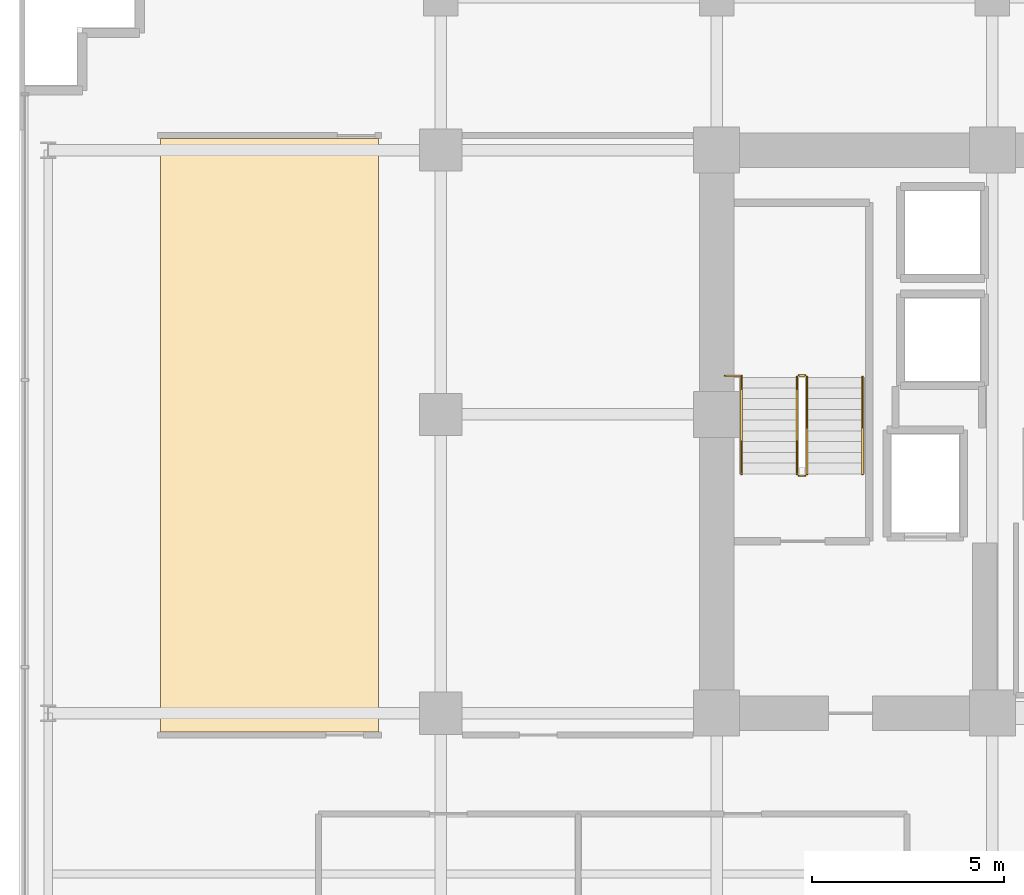
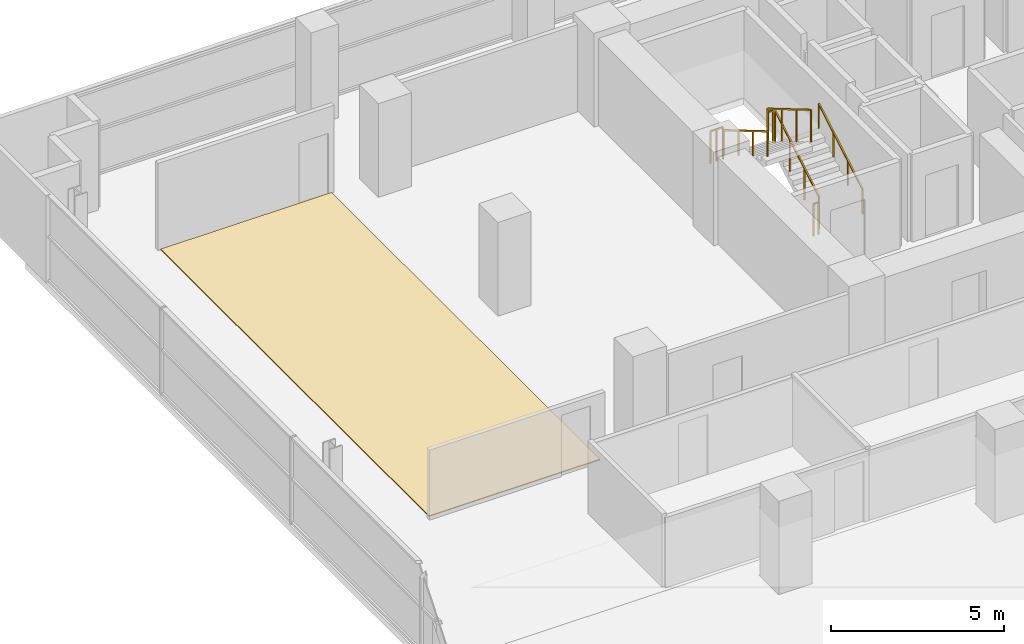
# One storey, part 27 of 30: 7 railings, 1 covering.
"""IFC4 building model written with IfcOpenShell, lengths in metres."""

from ifc_helpers import new_model, si_unit, direction, frame, origin, origin_2d, place, context, subcontext, project, spatial, polyline, rectangle, outline, extrude, material, layer, layer_set, type_object, element, save


model = new_model("IFC4")

# Units and contexts
model_context = context("Model", 3, precision=1e-05, world=origin(), true_north=direction((0.0, 1.0)))
body_context = subcontext(model_context, "Body", "Model", "MODEL_VIEW")
ifc_project = project(units=[si_unit("LENGTHUNIT", "METRE"), si_unit("AREAUNIT", "SQUARE_METRE"), si_unit("VOLUMEUNIT", "CUBIC_METRE"), si_unit("PLANEANGLEUNIT", "RADIAN"), si_unit("MASSUNIT", "GRAM", prefix="KILO")], contexts=[model_context])

# Site, building, storey
site_placement = place(None, origin())
site = spatial("IfcSite", under=ifc_project, at=site_placement, CompositionType="ELEMENT")
building_placement = place(site_placement, origin())
building = spatial("IfcBuilding", under=site, at=building_placement, Name="Zarnakvel Exchange Tower", CompositionType="ELEMENT")
storey_placement = place(building_placement, frame((0.0, 0.0, 50.5)))
storey = spatial("IfcBuildingStorey", under=building, at=storey_placement, Name="L13", CompositionType="ELEMENT", Elevation=50.5)

# Covering
ifc_material_1 = material(Name="Heavy-Duty Raised Access Floor Panel", Category="steel")
ifc_layer = layer(ifc_material_1, 0.034912109375)
ifc_layer_set = layer_set([ifc_layer], Name="Heavy-Duty Raised Access Floor Panel")
covering_type = type_object("IfcCoveringType", Name="FLR-02", PredefinedType="FLOORING", material=ifc_layer_set)
covering_placement = place(storey_placement, origin())
element("IfcCovering", 1, at=covering_placement, inside=storey, type_object=covering_type, Name="L13 Floor Finish (Staff Pantry)", PredefinedType="FLOORING", context=body_context, shape_type="SweptSolid", body=[
    extrude(outline(polyline([(-28.916259765625, 13.800048828125), (-23.222900390625, 13.800048828125), (-23.222900390625, -1.68994140625), (-28.916259765625, -1.68994140625), (-28.916259765625, 13.800048828125)])), origin(), (0.0, 0.0, 1.0), 0.034912109375),
])

# Railings
ifc_material_2 = material(Name="Brushed Stainless Steel", Category="steel")
railing_type_1 = type_object("IfcRailingType", Name="HR-01", PredefinedType="HANDRAIL", material=ifc_material_2)
railing_1_placement = place(storey_placement, frame((-10.590087890625, 5.050048828125, 0.1650390625)))
element("IfcRailing", 2, at=railing_1_placement, inside=storey, type_object=railing_type_1, Name="L13 ST-01 stair handrail 1", PredefinedType="HANDRAIL", context=body_context, shape_type="SweptSolid", body=[
    extrude(rectangle(XDim=0.048095703125, YDim=0.048095703125, at=origin_2d()), frame((0.0, 0.0, 0.8759765625), z_axis=(0.0, 0.861560626758, 0.507654692109), x_axis=(-1.0, 0.0, 0.0)), (0.0, 0.0, 1.0), 2.925048828125),
    extrude(rectangle(XDim=0.0419921875, YDim=0.0419921875, at=origin_2d()), origin(), (0.0, 0.0, 1.0), 0.851806640625),
    extrude(rectangle(XDim=0.0419921875, YDim=0.0419921875, at=origin_2d()), frame((0.0, 0.840087890625, 0.494873046875)), (0.0, 0.0, 1.0), 0.851806640625),
    extrude(rectangle(XDim=0.0419921875, YDim=0.0419921875, at=origin_2d()), frame((0.0, 1.679931640625, 0.989990234375)), (0.0, 0.0, 1.0), 0.851806640625),
    extrude(rectangle(XDim=0.0419921875, YDim=0.0419921875, at=origin_2d()), frame((0.0, 2.52001953125, 1.48486328125)), (0.0, 0.0, 1.0), 0.851806640625),
])
railing_2_placement = place(storey_placement, frame((-13.75, 7.570068359375, 1.81494140625)))
element("IfcRailing", 3, at=railing_2_placement, inside=storey, type_object=railing_type_1, Name="L13 ST-01 stair handrail 2", PredefinedType="HANDRAIL", context=body_context, shape_type="SweptSolid", body=[
    extrude(rectangle(XDim=0.048095703125, YDim=0.048095703125, at=origin_2d()), frame((0.0, 0.0, 0.8759765625), z_axis=(0.0, -0.86152411907, 0.507716645641), x_axis=(1.0, 0.0, 0.0)), (0.0, 0.0, 1.0), 2.925048828125),
    extrude(rectangle(XDim=0.0419921875, YDim=0.0419921875, at=origin_2d()), origin(), (0.0, 0.0, 1.0), 0.851806640625),
    extrude(rectangle(XDim=0.0419921875, YDim=0.0419921875, at=origin_2d()), frame((0.0, -0.840087890625, 0.4951171875)), (0.0, 0.0, 1.0), 0.851806640625),
    extrude(rectangle(XDim=0.0419921875, YDim=0.0419921875, at=origin_2d()), frame((0.0, -1.679931640625, 0.989990234375)), (0.0, 0.0, 1.0), 0.851806640625),
    extrude(rectangle(XDim=0.0419921875, YDim=0.0419921875, at=origin_2d()), frame((0.0, -2.52001953125, 1.485107421875)), (0.0, 0.0, 1.0), 0.851806640625),
])
ifc_material_3 = material(Name="Architectural Bronze Anodised Aluminium", Category="aluminium")
railing_type_2 = type_object("IfcRailingType", Name="SG-01", PredefinedType="GUARDRAIL", material=ifc_material_3)
railing_3_placement = place(storey_placement, frame((-12.0400390625, 5.050048828125, 0.1650390625)))
element("IfcRailing", 4, at=railing_3_placement, inside=storey, type_object=railing_type_2, Name="L13 ST-01 stair guard 1", PredefinedType="GUARDRAIL", context=body_context, shape_type="SweptSolid", body=[
    extrude(rectangle(XDim=0.048095703125, YDim=0.048095703125, at=origin_2d()), frame((0.0, 0.0, 1.1259765625), z_axis=(0.0, 0.861560626758, 0.507654692109), x_axis=(-1.0, 0.0, 0.0)), (0.0, 0.0, 1.0), 2.925048828125),
    extrude(rectangle(XDim=0.0419921875, YDim=0.0419921875, at=origin_2d()), origin(), (0.0, 0.0, 1.0), 1.101806640625),
    extrude(rectangle(XDim=0.0419921875, YDim=0.0419921875, at=origin_2d()), frame((0.0, 0.840087890625, 0.494873046875)), (0.0, 0.0, 1.0), 1.101806640625),
    extrude(rectangle(XDim=0.0419921875, YDim=0.0419921875, at=origin_2d()), frame((0.0, 1.679931640625, 0.989990234375)), (0.0, 0.0, 1.0), 1.101806640625),
    extrude(rectangle(XDim=0.0419921875, YDim=0.0419921875, at=origin_2d()), frame((0.0, 2.52001953125, 1.48486328125)), (0.0, 0.0, 1.0), 1.101806640625),
])
railing_4_placement = place(storey_placement, frame((-12.090087890625, 7.6201171875, 1.64990234375)))
element("IfcRailing", 5, at=railing_4_placement, inside=storey, type_object=railing_type_2, Name="L13 ST-01 stair guard 2", PredefinedType="GUARDRAIL", context=body_context, shape_type="SweptSolid", body=[
    extrude(rectangle(XDim=0.048095703125, YDim=0.048095703125, at=origin_2d()), frame((0.0, 0.0, 1.1259765625), z_axis=(-1.0, 0.0, 0.0), x_axis=(0.0, -1.0, 0.0)), (0.0, 0.0, 1.0), 0.159912109375),
    extrude(rectangle(XDim=0.0419921875, YDim=0.0419921875, at=origin_2d()), origin(), (0.0, 0.0, 1.0), 1.101806640625),
    extrude(rectangle(XDim=0.0419921875, YDim=0.0419921875, at=origin_2d()), frame((-0.159912109375, 0.0, 0.0)), (0.0, 0.0, 1.0), 1.101806640625),
])
railing_5_placement = place(storey_placement, frame((-12.300048828125, 7.570068359375, 1.81494140625)))
element("IfcRailing", 6, at=railing_5_placement, inside=storey, type_object=railing_type_2, Name="L13 ST-01 stair guard 3", PredefinedType="GUARDRAIL", context=body_context, shape_type="SweptSolid", body=[
    extrude(rectangle(XDim=0.048095703125, YDim=0.048095703125, at=origin_2d()), frame((0.0, 0.0, 1.1259765625), z_axis=(0.0, -0.86152411907, 0.507716645641), x_axis=(1.0, 0.0, 0.0)), (0.0, 0.0, 1.0), 2.925048828125),
    extrude(rectangle(XDim=0.0419921875, YDim=0.0419921875, at=origin_2d()), origin(), (0.0, 0.0, 1.0), 1.101806640625),
    extrude(rectangle(XDim=0.0419921875, YDim=0.0419921875, at=origin_2d()), frame((0.0, -0.840087890625, 0.4951171875)), (0.0, 0.0, 1.0), 1.101806640625),
    extrude(rectangle(XDim=0.0419921875, YDim=0.0419921875, at=origin_2d()), frame((0.0, -1.679931640625, 0.989990234375)), (0.0, 0.0, 1.0), 1.101806640625),
    extrude(rectangle(XDim=0.0419921875, YDim=0.0419921875, at=origin_2d()), frame((0.0, -2.52001953125, 1.485107421875)), (0.0, 0.0, 1.0), 1.101806640625),
])
railing_6_placement = place(storey_placement, frame((-12.090087890625, 5.0, 0.0)))
element("IfcRailing", 7, at=railing_6_placement, inside=storey, type_object=railing_type_2, Name="L13 ST-01 stair guard 4", PredefinedType="GUARDRAIL", context=body_context, shape_type="SweptSolid", body=[
    extrude(rectangle(XDim=0.048095703125, YDim=0.048095703125, at=origin_2d()), frame((0.0, 0.0, 1.1259765625), z_axis=(-1.0, 0.0, 0.0), x_axis=(0.0, -1.0, 0.0)), (0.0, 0.0, 1.0), 0.159912109375),
    extrude(rectangle(XDim=0.0419921875, YDim=0.0419921875, at=origin_2d()), origin(), (0.0, 0.0, 1.0), 1.101806640625),
    extrude(rectangle(XDim=0.0419921875, YDim=0.0419921875, at=origin_2d()), frame((-0.159912109375, 0.0, 0.0)), (0.0, 0.0, 1.0), 1.101806640625),
])
railing_7_placement = place(storey_placement, frame((-14.179931640625, 7.610107421875, 1.64990234375)))
element("IfcRailing", 8, at=railing_7_placement, inside=storey, type_object=railing_type_2, Name="L13 ST-01 Landing Slot Guardrail", PredefinedType="GUARDRAIL", context=body_context, shape_type="SweptSolid", body=[
    extrude(rectangle(XDim=0.048095703125, YDim=0.048095703125, at=origin_2d()), frame((0.0, 0.0, 1.1259765625), z_axis=(1.0, 0.0, 0.0), x_axis=(0.0, 1.0, 0.0)), (0.0, 0.0, 1.0), 0.429931640625),
    extrude(rectangle(XDim=0.0419921875, YDim=0.0419921875, at=origin_2d()), origin(), (0.0, 0.0, 1.0), 1.101806640625),
    extrude(rectangle(XDim=0.0419921875, YDim=0.0419921875, at=origin_2d()), frame((0.21484375, 0.0, 0.0)), (0.0, 0.0, 1.0), 1.101806640625),
    extrude(rectangle(XDim=0.0419921875, YDim=0.0419921875, at=origin_2d()), frame((0.429931640625, 0.0, 0.0)), (0.0, 0.0, 1.0), 1.101806640625),
])

save(model, "model.ifc")
